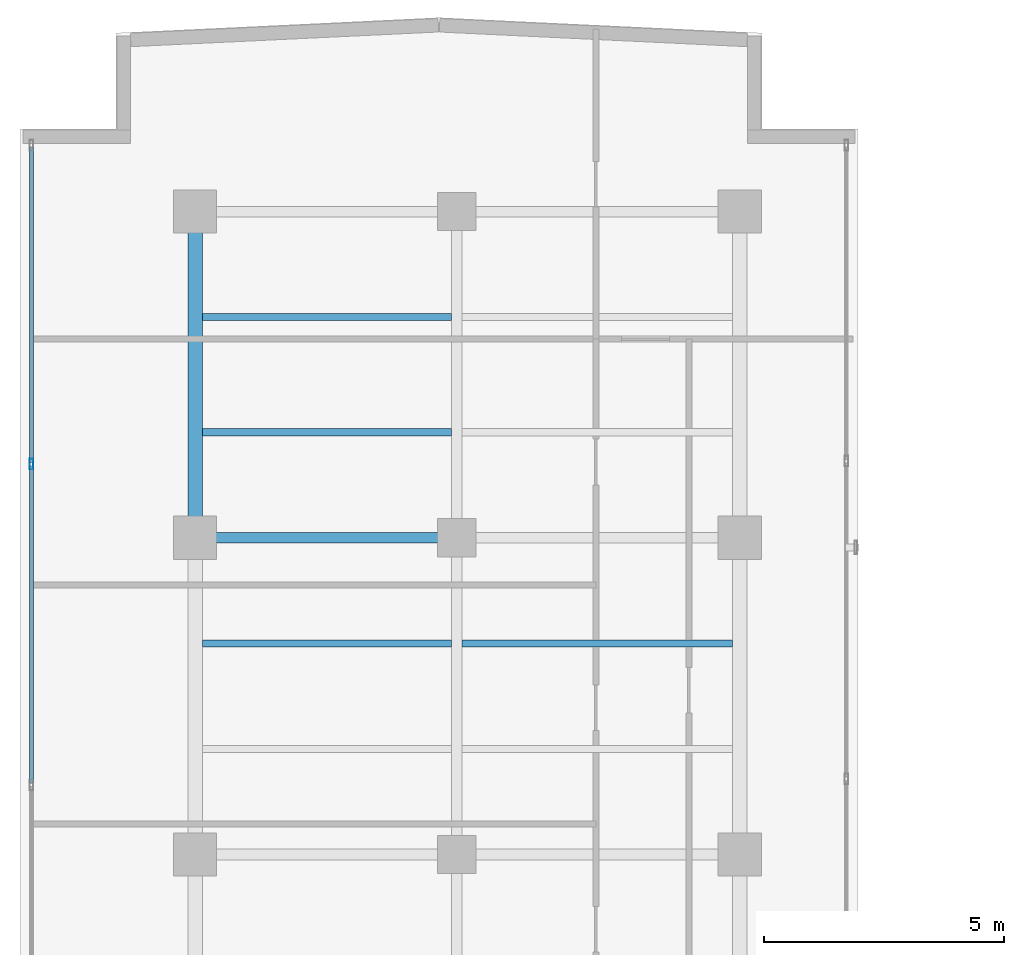
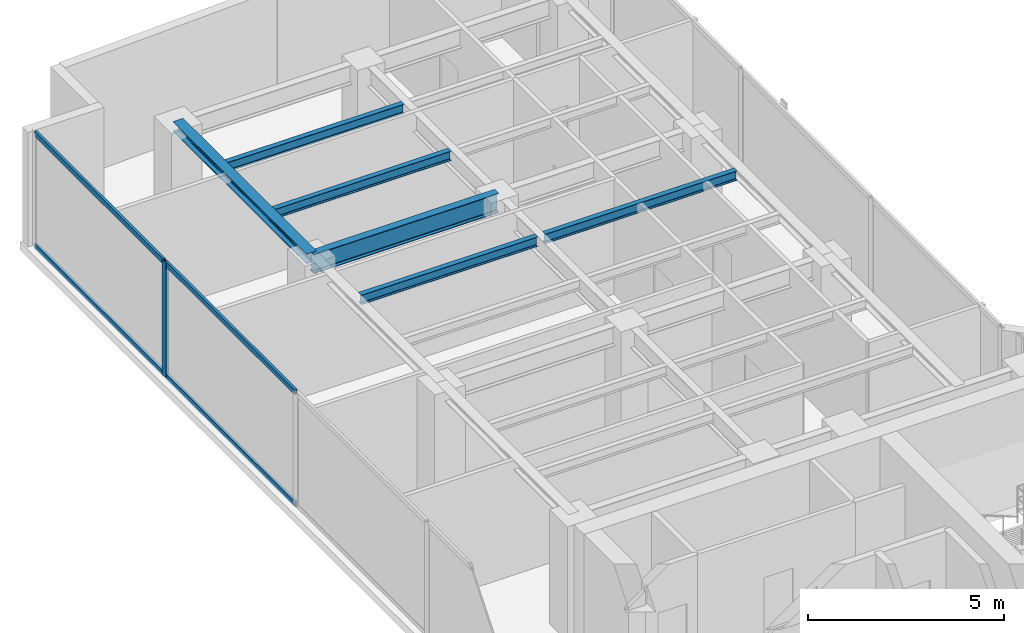
# One storey, part 13 of 22: 6 beams, 5 members, 1 element without a shape of its own.
"""IFC4 building model written with IfcOpenShell, lengths in metres."""

from ifc_helpers import new_model, si_unit, direction, frame, origin, origin_with_axes, origin_2d, place, context, subcontext, project, spatial, hollow_rectangle, i_section, extrude, source, transform, mapped, material, layer, layer_set, material_profile, profile_set, type_object, element, aggregate, save


model = new_model("IFC4")

# Units and contexts
model_context = context("Model", 3, precision=1e-05, world=origin(), true_north=direction((0.0, 1.0)))
body_context = subcontext(model_context, "Body", "Model", "MODEL_VIEW")
ifc_project = project(units=[si_unit("LENGTHUNIT", "METRE"), si_unit("AREAUNIT", "SQUARE_METRE"), si_unit("VOLUMEUNIT", "CUBIC_METRE"), si_unit("PLANEANGLEUNIT", "RADIAN"), si_unit("MASSUNIT", "GRAM", prefix="KILO")], contexts=[model_context])

# Site, building, storey
site_placement = place(None, origin())
site = spatial("IfcSite", under=ifc_project, at=site_placement, CompositionType="ELEMENT")
building_placement = place(site_placement, origin())
building = spatial("IfcBuilding", under=site, at=building_placement, Name="Kolvaren Waterfront Exchange", CompositionType="ELEMENT")
storey_placement = place(building_placement, frame((0.0, 0.0, 312.199951171875)))
storey = spatial("IfcBuildingStorey", under=building, at=storey_placement, Name="L80", CompositionType="ELEMENT", Elevation=312.199951171875)

# Beams
ifc_material_1 = material(Name="Steel S355", Category="steel")
ifc_material_profile_1 = material_profile(ifc_material_1, i_section(OverallWidth=0.300048828125, OverallDepth=0.300048828125, WebThickness=0.010986328125, FlangeThickness=0.01904296875, FilletRadius=0.027099609375, at=origin_2d()), Name="HEB300")
ifc_profile_set_1 = profile_set([ifc_material_profile_1], Name="Steel S355")
beam_type_1 = type_object("IfcBeamType", Name="STR-BM-HEB300", PredefinedType="SPANDREL", material=ifc_profile_set_1)
beam_1_placement = place(storey_placement, frame((7.449951171875, 37.800048828125, 3.41015625), z_axis=(0.0, 1.0, 0.0), x_axis=(-1.0, 0.0, 0.0)))
element("IfcBeam", 1, at=beam_1_placement, inside=storey, type_object=beam_type_1, Name="L80 north-arm edge beam 3", PredefinedType="SPANDREL", context=body_context, shape_type="SweptSolid", body=[
    extrude(i_section(OverallWidth=0.300048828125, OverallDepth=0.300048828125, WebThickness=0.010986328125, FlangeThickness=0.01904296875, FilletRadius=0.027099609375, at=origin_2d()), origin(), (0.0, 0.0, 1.0), 6.800048828125),
])
ifc_material_profile_2 = material_profile(ifc_material_1, i_section(OverallWidth=0.14990234375, OverallDepth=0.300048828125, WebThickness=0.007080078125, FlangeThickness=0.0107421875, FilletRadius=0.014892578125, at=origin_2d()), Name="IPE300")
ifc_profile_set_2 = profile_set([ifc_material_profile_2], Name="Steel S355")
beam_type_2 = type_object("IfcBeamType", Name="STR-BM-IPE300", PredefinedType="JOIST", material=ifc_profile_set_2)
beam_2_placement = place(storey_placement, frame((7.60205078125, 35.60009765625, 3.41015625), z_axis=(1.0, 0.0, 0.0), x_axis=(0.0, 1.0, 0.0)))
element("IfcBeam", 2, at=beam_2_placement, inside=storey, type_object=beam_type_2, Name="L80 north-arm composite joist 4A", PredefinedType="JOIST", context=body_context, shape_type="SweptSolid", body=[
    extrude(i_section(OverallWidth=0.14990234375, OverallDepth=0.300048828125, WebThickness=0.007080078125, FlangeThickness=0.0107421875, FilletRadius=0.014892578125, at=origin_2d()), origin(), (0.0, 0.0, 1.0), 5.18603515625),
])
beam_3_placement = place(storey_placement, frame((13.011962890625, 35.60009765625, 3.41015625), z_axis=(1.0, 0.0, 0.0), x_axis=(0.0, 1.0, 0.0)))
element("IfcBeam", 3, at=beam_3_placement, inside=storey, type_object=beam_type_2, Name="L80 north-arm composite joist 4B", PredefinedType="JOIST", context=body_context, shape_type="SweptSolid", body=[
    extrude(i_section(OverallWidth=0.14990234375, OverallDepth=0.300048828125, WebThickness=0.007080078125, FlangeThickness=0.0107421875, FilletRadius=0.014892578125, at=origin_2d()), origin(), (0.0, 0.0, 1.0), 5.635986328125),
])
for number, where, z_axis, x_axis, name in (
    (4, (7.60205078125, 40.0, 3.41015625), (1.0, 0.0, 0.0), (0.0, 1.0, 0.0), "L80 north-arm composite joist 5A"),
    (5, (7.60205078125, 42.39990234375, 3.41015625), (1.0, 0.0, 0.0), (0.0, 1.0, 0.0), "L80 north-arm composite joist 6A"),
):
    element("IfcBeam", number, at=place(storey_placement, frame(where, z_axis=z_axis, x_axis=x_axis)), inside=storey, type_object=beam_type_2, Name=name, PredefinedType="JOIST", context=body_context, shape_type="SweptSolid", body=[
        extrude(i_section(OverallWidth=0.14990234375, OverallDepth=0.300048828125, WebThickness=0.007080078125, FlangeThickness=0.0107421875, FilletRadius=0.014892578125, at=origin_2d()), origin(), (0.0, 0.0, 1.0), 5.18603515625),
    ])
ifc_material_profile_3 = material_profile(ifc_material_1, i_section(OverallWidth=0.219970703125, OverallDepth=0.60009765625, WebThickness=0.011962890625, FlangeThickness=0.01904296875, FilletRadius=0.02392578125, at=origin_2d()), Name="IPE600")
ifc_profile_set_3 = profile_set([ifc_material_profile_3], Name="Steel S355")
beam_type_3 = type_object("IfcBeamType", Name="STR-BM-IPE600", PredefinedType="BEAM", material=ifc_profile_set_3)
beam_4_placement = place(storey_placement, frame((7.449951171875, 37.800048828125, 3.260009765625), z_axis=(1.0, 0.0, 0.0), x_axis=(0.0, 1.0, 0.0)))
element("IfcBeam", 6, at=beam_4_placement, inside=storey, type_object=beam_type_3, Name="L80 north-arm girder 3A", PredefinedType="BEAM", context=body_context, shape_type="SweptSolid", body=[
    extrude(i_section(OverallWidth=0.219970703125, OverallDepth=0.60009765625, WebThickness=0.011962890625, FlangeThickness=0.01904296875, FilletRadius=0.02392578125, at=origin_2d()), origin(), (0.0, 0.0, 1.0), 5.449951171875),
])

# Curtain wall, members
ifc_material_2 = material(Name="Anodised aluminium 6063-T6", Category="aluminium")
ifc_layer = layer(ifc_material_2, 0.219970703125, Name="Anodised aluminium 6063-T6")
ifc_layer_set = layer_set([ifc_layer], Name="Anodised aluminium 6063-T6")
curtain_wall_type = type_object("IfcCurtainWallType", Name="ARC-CW-SYS2", PredefinedType="USERDEFINED", material=ifc_layer_set)
curtain_wall_placement = place(storey_placement, origin())
curtain_wall = element("IfcCurtainWall", 7, at=curtain_wall_placement, inside=storey, type_object=curtain_wall_type, Name="L80 stick curtain wall CW2 (CW-L80-W)", ObjectType="STICK CURTAIN WALL", PredefinedType="USERDEFINED")
ifc_material_profile_4 = material_profile(ifc_material_2, hollow_rectangle(XDim=0.080078125, YDim=0.219970703125, WallThickness=0.0048828125, at=origin_2d()), Name="ALU-MUL-220x80x5")
ifc_profile_set_4 = profile_set([ifc_material_profile_4], Name="Anodised aluminium 6063-T6")
member_type_1 = type_object("IfcMemberType", Name="ARC-CWM-220", PredefinedType="MULLION", material=ifc_profile_set_4)
shared_shape_1 = source(origin_with_axes(), body_context, "Body", "SweptSolid", [
    extrude(hollow_rectangle(XDim=0.080078125, YDim=0.219970703125, WallThickness=0.0048828125, at=origin_2d()), origin(), (0.0, 0.0, 1.0), 3.56005859375),
])
member_1_placement = place(storey_placement, frame((4.0400390625, 39.334228515625, 0.0), z_axis=(0.0, 0.0, 1.0), x_axis=(-1.0, 0.0, 0.0)))
member_1 = element("IfcMember", 8, at=member_1_placement, type_object=member_type_1, Name="CW2 mullion 6", PredefinedType="MULLION", context=body_context, shape_type="MappedRepresentation", body=[
    mapped(shared_shape_1, transform((0.0, 0.0, 0.0), x_axis=(1.0, 0.0, 0.0), y_axis=(0.0, 1.0, 0.0), z_axis=(0.0, 0.0, 1.0), scale=1.0)),
])
ifc_material_profile_5 = material_profile(ifc_material_2, hollow_rectangle(XDim=0.074951171875, YDim=0.159912109375, WallThickness=0.00439453125, at=origin_2d()), Name="ALU-TRN-160x75x4.5")
ifc_profile_set_5 = profile_set([ifc_material_profile_5], Name="Anodised aluminium 6063-T6")
member_type_2 = type_object("IfcMemberType", Name="ARC-CWT-160", PredefinedType="USERDEFINED", material=ifc_profile_set_5)
shared_shape_2 = source(origin_with_axes(), body_context, "Body", "SweptSolid", [
    extrude(hollow_rectangle(XDim=0.074951171875, YDim=0.159912109375, WallThickness=0.00439453125, at=origin_2d()), origin(), (0.0, 0.0, 1.0), 6.56689453125),
])
member_2_placement = place(storey_placement, frame((4.0400390625, 39.374267578125, 0.03759765625), z_axis=(0.0, 1.0, 0.0), x_axis=(-1.0, 0.0, 0.0)))
member_2 = element("IfcMember", 9, at=member_2_placement, type_object=member_type_2, Name="CW2 transom 6.1", ObjectType="TRANSOM", PredefinedType="USERDEFINED", context=body_context, shape_type="MappedRepresentation", body=[
    mapped(shared_shape_2, transform((0.0, 0.0, 0.0), x_axis=(1.0, 0.0, 0.0), y_axis=(0.0, 1.0, 0.0), z_axis=(0.0, 0.0, 1.0), scale=1.0)),
])
member_3_placement = place(storey_placement, frame((4.0400390625, 39.374267578125, 3.5224609375), z_axis=(0.0, 1.0, 0.0), x_axis=(-1.0, 0.0, 0.0)))
member_3 = element("IfcMember", 10, at=member_3_placement, type_object=member_type_2, Name="CW2 transom 6.2", ObjectType="TRANSOM", PredefinedType="USERDEFINED", context=body_context, shape_type="MappedRepresentation", body=[
    mapped(shared_shape_2, transform((0.0, 0.0, 0.0), x_axis=(1.0, 0.0, 0.0), y_axis=(0.0, 1.0, 0.0), z_axis=(0.0, 0.0, 1.0), scale=1.0)),
])
shared_shape_3 = source(origin_with_axes(), body_context, "Body", "SweptSolid", [
    extrude(hollow_rectangle(XDim=0.074951171875, YDim=0.159912109375, WallThickness=0.00439453125, at=origin_2d()), origin(), (0.0, 0.0, 1.0), 6.606689453125),
])
member_4_placement = place(storey_placement, frame((4.0400390625, 32.6875, 0.03759765625), z_axis=(0.0, 1.0, 0.0), x_axis=(-1.0, 0.0, 0.0)))
member_4 = element("IfcMember", 11, at=member_4_placement, type_object=member_type_2, Name="CW2 transom 5.1", ObjectType="TRANSOM", PredefinedType="USERDEFINED", context=body_context, shape_type="MappedRepresentation", body=[
    mapped(shared_shape_3, transform((0.0, 0.0, 0.0), x_axis=(1.0, 0.0, 0.0), y_axis=(0.0, 1.0, 0.0), z_axis=(0.0, 0.0, 1.0), scale=1.0)),
])
member_5_placement = place(storey_placement, frame((4.0400390625, 32.6875, 3.5224609375), z_axis=(0.0, 1.0, 0.0), x_axis=(-1.0, 0.0, 0.0)))
member_5 = element("IfcMember", 12, at=member_5_placement, type_object=member_type_2, Name="CW2 transom 5.2", ObjectType="TRANSOM", PredefinedType="USERDEFINED", context=body_context, shape_type="MappedRepresentation", body=[
    mapped(shared_shape_3, transform((0.0, 0.0, 0.0), x_axis=(1.0, 0.0, 0.0), y_axis=(0.0, 1.0, 0.0), z_axis=(0.0, 0.0, 1.0), scale=1.0)),
])
aggregate(curtain_wall, [member_1, member_4, member_5, member_2, member_3])

save(model, "model.ifc")
